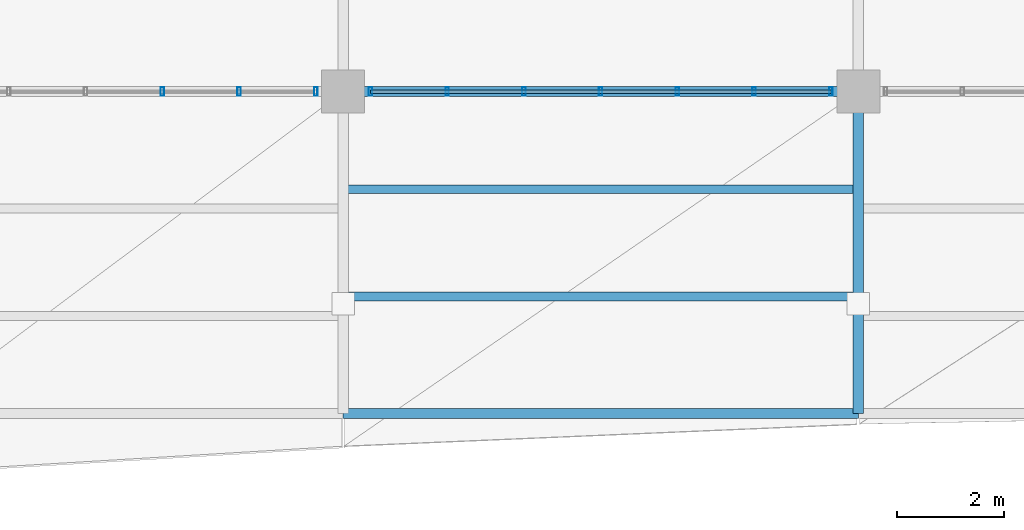
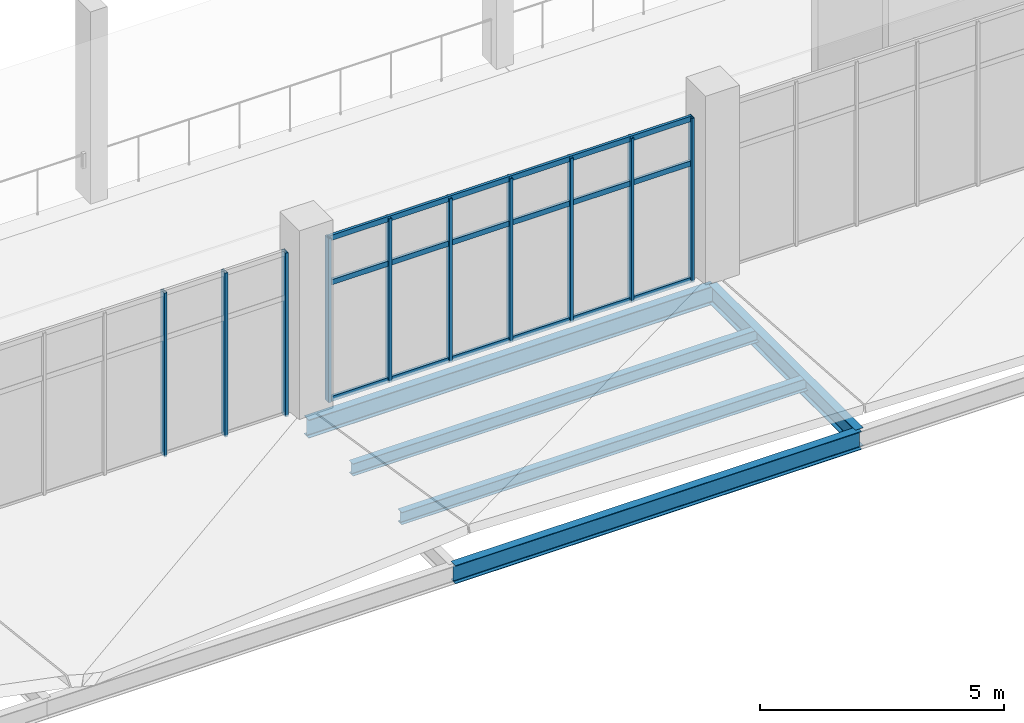
# One storey, part 52 of 157: 13 members, 5 beams, 2 elements without a shape of their own.
"""IFC4 building model written with IfcOpenShell, lengths in metres."""

from ifc_helpers import new_model, si_unit, direction, frame, origin, origin_2d, place, context, subcontext, project, spatial, hollow_rectangle, i_section, extrude, material, layer, layer_set, material_profile, profile_set, type_object, element, aggregate, save


model = new_model("IFC4")

# Units and contexts
model_context = context("Model", 3, precision=1e-05, world=origin(), true_north=direction((0.0, 1.0)))
body_context = subcontext(model_context, "Body", "Model", "MODEL_VIEW")
ifc_project = project(units=[si_unit("LENGTHUNIT", "METRE"), si_unit("AREAUNIT", "SQUARE_METRE"), si_unit("VOLUMEUNIT", "CUBIC_METRE"), si_unit("PLANEANGLEUNIT", "RADIAN"), si_unit("MASSUNIT", "GRAM", prefix="KILO")], contexts=[model_context])

# Site, building, storey
site_placement = place(None, origin())
site = spatial("IfcSite", under=ifc_project, at=site_placement, CompositionType="ELEMENT")
building_placement = place(site_placement, origin())
building = spatial("IfcBuilding", under=site, at=building_placement, Name="Chalmorin Arch Market", CompositionType="ELEMENT")
storey_placement = place(building_placement, frame((0.0, 0.0, 4.800048828125)))
storey = spatial("IfcBuildingStorey", under=building, at=storey_placement, Name="L01", CompositionType="ELEMENT", Elevation=4.800048828125)

# Curtain wall, members
ifc_material_1 = material(Name="Aluminium 6063-T6", Category="aluminium")
ifc_layer = layer(ifc_material_1, 0.159912109375)
ifc_layer_set = layer_set([ifc_layer], Name="Aluminium 6063-T6")
curtain_wall_type = type_object("IfcCurtainWallType", Name="MarketClerestoryCurtainWall-CW1-8580x4100", PredefinedType="NOTDEFINED", material=ifc_layer_set)
curtain_wall_1_placement = place(storey_placement, origin())
curtain_wall_1 = element("IfcCurtainWall", 1, at=curtain_wall_1_placement, inside=storey, type_object=curtain_wall_type, Name="CW-01-013", PredefinedType="NOTDEFINED")
ifc_material_profile_1 = material_profile(ifc_material_1, hollow_rectangle(XDim=0.06494140625, YDim=0.159912109375, WallThickness=0.00390625, at=origin_2d()), Name="ALU65X160X4")
ifc_profile_set_1 = profile_set([ifc_material_profile_1], Name="Aluminium 6063-T6")
member_type_1 = type_object("IfcMemberType", Name="CurtainWallMullion-65x160", PredefinedType="MULLION", material=ifc_profile_set_1)
member_1_placement = place(storey_placement, frame((92.6298828125, 6.0, 0.0), z_axis=(0.0, 0.0, 1.0), x_axis=(1.0, 0.0, 0.0)))
member_1 = element("IfcMember", 2, at=member_1_placement, type_object=member_type_1, Name="ML-013-05", PredefinedType="MULLION", context=body_context, shape_type="SweptSolid", body=[
    extrude(hollow_rectangle(XDim=0.06494140625, YDim=0.159912109375, WallThickness=0.00390625, at=origin_2d()), origin(), (0.0, 0.0, 1.0), 4.095947265625),
])
member_2_placement = place(storey_placement, frame((94.06005859375, 6.0, 0.0), z_axis=(0.0, 0.0, 1.0), x_axis=(1.0, 0.0, 0.0)))
member_2 = element("IfcMember", 3, at=member_2_placement, type_object=member_type_1, Name="ML-013-06", PredefinedType="MULLION", context=body_context, shape_type="SweptSolid", body=[
    extrude(hollow_rectangle(XDim=0.06494140625, YDim=0.159912109375, WallThickness=0.00390625, at=origin_2d()), origin(), (0.0, 0.0, 1.0), 4.095947265625),
])
member_3_placement = place(storey_placement, frame((95.489990234375, 6.0, 0.0), z_axis=(0.0, 0.0, 1.0), x_axis=(1.0, 0.0, 0.0)))
member_3 = element("IfcMember", 4, at=member_3_placement, type_object=member_type_1, Name="ML-013-07", PredefinedType="MULLION", context=body_context, shape_type="SweptSolid", body=[
    extrude(hollow_rectangle(XDim=0.06494140625, YDim=0.159912109375, WallThickness=0.00390625, at=origin_2d()), origin(), (0.0, 0.0, 1.0), 4.095947265625),
])
aggregate(curtain_wall_1, [member_1, member_2, member_3])

curtain_wall_2_placement = place(storey_placement, origin())
curtain_wall_2 = element("IfcCurtainWall", 5, at=curtain_wall_2_placement, inside=storey, type_object=curtain_wall_type, Name="CW-01-017", PredefinedType="NOTDEFINED")
member_4_placement = place(storey_placement, frame((96.510009765625, 6.0, 0.0), z_axis=(0.0, 0.0, 1.0), x_axis=(1.0, 0.0, 0.0)))
member_4 = element("IfcMember", 6, at=member_4_placement, type_object=member_type_1, Name="ML-017-01", PredefinedType="MULLION", context=body_context, shape_type="SweptSolid", body=[
    extrude(hollow_rectangle(XDim=0.06494140625, YDim=0.159912109375, WallThickness=0.00390625, at=origin_2d()), origin(), (0.0, 0.0, 1.0), 4.095947265625),
])
member_5_placement = place(storey_placement, frame((97.93994140625, 6.0, 0.0), z_axis=(0.0, 0.0, 1.0), x_axis=(1.0, 0.0, 0.0)))
member_5 = element("IfcMember", 7, at=member_5_placement, type_object=member_type_1, Name="ML-017-02", PredefinedType="MULLION", context=body_context, shape_type="SweptSolid", body=[
    extrude(hollow_rectangle(XDim=0.06494140625, YDim=0.159912109375, WallThickness=0.00390625, at=origin_2d()), origin(), (0.0, 0.0, 1.0), 4.095947265625),
])
member_6_placement = place(storey_placement, frame((99.3701171875, 6.0, 0.0), z_axis=(0.0, 0.0, 1.0), x_axis=(1.0, 0.0, 0.0)))
member_6 = element("IfcMember", 8, at=member_6_placement, type_object=member_type_1, Name="ML-017-03", PredefinedType="MULLION", context=body_context, shape_type="SweptSolid", body=[
    extrude(hollow_rectangle(XDim=0.06494140625, YDim=0.159912109375, WallThickness=0.00390625, at=origin_2d()), origin(), (0.0, 0.0, 1.0), 4.095947265625),
])
member_7_placement = place(storey_placement, frame((100.800048828125, 6.0, 0.0), z_axis=(0.0, 0.0, 1.0), x_axis=(1.0, 0.0, 0.0)))
member_7 = element("IfcMember", 9, at=member_7_placement, type_object=member_type_1, Name="ML-017-04", PredefinedType="MULLION", context=body_context, shape_type="SweptSolid", body=[
    extrude(hollow_rectangle(XDim=0.06494140625, YDim=0.159912109375, WallThickness=0.00390625, at=origin_2d()), origin(), (0.0, 0.0, 1.0), 4.095947265625),
])
member_8_placement = place(storey_placement, frame((102.22998046875, 6.0, 0.0), z_axis=(0.0, 0.0, 1.0), x_axis=(1.0, 0.0, 0.0)))
member_8 = element("IfcMember", 10, at=member_8_placement, type_object=member_type_1, Name="ML-017-05", PredefinedType="MULLION", context=body_context, shape_type="SweptSolid", body=[
    extrude(hollow_rectangle(XDim=0.06494140625, YDim=0.159912109375, WallThickness=0.00390625, at=origin_2d()), origin(), (0.0, 0.0, 1.0), 4.095947265625),
])
member_9_placement = place(storey_placement, frame((103.659912109375, 6.0, 0.0), z_axis=(0.0, 0.0, 1.0), x_axis=(1.0, 0.0, 0.0)))
member_9 = element("IfcMember", 11, at=member_9_placement, type_object=member_type_1, Name="ML-017-06", PredefinedType="MULLION", context=body_context, shape_type="SweptSolid", body=[
    extrude(hollow_rectangle(XDim=0.06494140625, YDim=0.159912109375, WallThickness=0.00390625, at=origin_2d()), origin(), (0.0, 0.0, 1.0), 4.095947265625),
])
member_10_placement = place(storey_placement, frame((105.090087890625, 6.0, 0.0), z_axis=(0.0, 0.0, 1.0), x_axis=(1.0, 0.0, 0.0)))
member_10 = element("IfcMember", 12, at=member_10_placement, type_object=member_type_1, Name="ML-017-07", PredefinedType="MULLION", context=body_context, shape_type="SweptSolid", body=[
    extrude(hollow_rectangle(XDim=0.06494140625, YDim=0.159912109375, WallThickness=0.00390625, at=origin_2d()), origin(), (0.0, 0.0, 1.0), 4.095947265625),
])
ifc_material_profile_2 = material_profile(ifc_material_1, hollow_rectangle(XDim=0.06494140625, YDim=0.1298828125, WallThickness=0.00390625, at=origin_2d()), Name="ALU65X130X4")
ifc_profile_set_2 = profile_set([ifc_material_profile_2], Name="Aluminium 6063-T6")
member_type_2 = type_object("IfcMemberType", Name="CurtainWallTransom-65x130", PredefinedType="USERDEFINED", material=ifc_profile_set_2)
member_11_placement = place(storey_placement, frame((96.510009765625, 6.0, 0.034912109375), z_axis=(1.0, 0.0, 0.0), x_axis=(0.0, 1.0, 0.0)))
member_11 = element("IfcMember", 13, at=member_11_placement, type_object=member_type_2, Name="TR-017-01", ObjectType="TRANSOM", PredefinedType="USERDEFINED", context=body_context, shape_type="SweptSolid", body=[
    extrude(hollow_rectangle(XDim=0.06494140625, YDim=0.1298828125, WallThickness=0.00390625, at=origin_2d()), origin(), (0.0, 0.0, 1.0), 8.580078125),
])
member_12_placement = place(storey_placement, frame((96.510009765625, 6.0, 2.948974609375), z_axis=(1.0, 0.0, 0.0), x_axis=(0.0, 1.0, 0.0)))
member_12 = element("IfcMember", 14, at=member_12_placement, type_object=member_type_2, Name="TR-017-02", ObjectType="TRANSOM", PredefinedType="USERDEFINED", context=body_context, shape_type="SweptSolid", body=[
    extrude(hollow_rectangle(XDim=0.06494140625, YDim=0.1298828125, WallThickness=0.00390625, at=origin_2d()), origin(), (0.0, 0.0, 1.0), 8.580078125),
])
member_13_placement = place(storey_placement, frame((96.510009765625, 6.0, 4.06103515625), z_axis=(1.0, 0.0, 0.0), x_axis=(0.0, 1.0, 0.0)))
member_13 = element("IfcMember", 15, at=member_13_placement, type_object=member_type_2, Name="TR-017-03", ObjectType="TRANSOM", PredefinedType="USERDEFINED", context=body_context, shape_type="SweptSolid", body=[
    extrude(hollow_rectangle(XDim=0.06494140625, YDim=0.1298828125, WallThickness=0.00390625, at=origin_2d()), origin(), (0.0, 0.0, 1.0), 8.580078125),
])
aggregate(curtain_wall_2, [member_4, member_5, member_6, member_7, member_8, member_9, member_10, member_11, member_12, member_13])

# Beams
ifc_material_2 = material(Name="Steel A992 Grade 50", Category="steel")
ifc_material_profile_3 = material_profile(ifc_material_2, i_section(OverallWidth=0.19091796875, OverallDepth=0.45703125, WebThickness=0.009033203125, FlangeThickness=0.014404296875, FilletRadius=0.02001953125, at=origin_2d()), Name="W18X50")
ifc_profile_set_3 = profile_set([ifc_material_profile_3], Name="Steel A992 Grade 50")
beam_type_1 = type_object("IfcBeamType", Name="FloorSteelBeam-W18X50", PredefinedType="BEAM", material=ifc_profile_set_3)
beam_placement = place(storey_placement, frame((105.60009765625, 0.0, -0.48046875), z_axis=(0.0, 1.0, 0.0), x_axis=(-1.0, 0.0, 0.0)))
element("IfcBeam", 16, at=beam_placement, inside=storey, type_object=beam_type_1, Name="BM-W18B-1047", PredefinedType="BEAM", context=body_context, shape_type="SweptSolid", body=[
    extrude(i_section(OverallWidth=0.19091796875, OverallDepth=0.45703125, WebThickness=0.009033203125, FlangeThickness=0.014404296875, FilletRadius=0.02001953125, at=origin_2d()), origin(), (0.0, 0.0, 1.0), 6.0),
])
ifc_material_profile_4 = material_profile(ifc_material_2, i_section(OverallWidth=0.19091796875, OverallDepth=0.45703125, WebThickness=0.009033203125, FlangeThickness=0.014404296875, FilletRadius=0.02001953125, at=origin_2d()), Name="W18X50")
ifc_profile_set_4 = profile_set([ifc_material_profile_4], Name="Steel A992 Grade 50")
beam_type_2 = type_object("IfcBeamType", Name="PerimeterSpandrelBeam-W18X50", PredefinedType="SPANDREL", material=ifc_profile_set_4)
for number, where, z_axis, x_axis, name in (
    (17, (96.0, 6.0, -0.48046875), (1.0, 0.0, 0.0), (0.0, 1.0, 0.0), "SP-W18-0616"),
    (18, (96.0, 0.0, -0.48046875), (1.0, 0.0, 0.0), (0.0, 1.0, 0.0), "SP-W18-1046"),
):
    element("IfcBeam", number, at=place(storey_placement, frame(where, z_axis=z_axis, x_axis=x_axis)), inside=storey, type_object=beam_type_2, Name=name, PredefinedType="SPANDREL", context=body_context, shape_type="SweptSolid", body=[
        extrude(i_section(OverallWidth=0.19091796875, OverallDepth=0.45703125, WebThickness=0.009033203125, FlangeThickness=0.014404296875, FilletRadius=0.02001953125, at=origin_2d()), origin(), (0.0, 0.0, 1.0), 9.60009765625),
    ])
ifc_material_profile_5 = material_profile(ifc_material_2, i_section(OverallWidth=0.1650390625, OverallDepth=0.31005859375, WebThickness=0.005859375, FlangeThickness=0.009765625, FilletRadius=0.014892578125, at=origin_2d()), Name="W12X26")
ifc_profile_set_5 = profile_set([ifc_material_profile_5], Name="Steel A992 Grade 50")
beam_type_3 = type_object("IfcBeamType", Name="SecondaryRoofJoist-W12X26", PredefinedType="JOIST", material=ifc_profile_set_5)
for number, where, z_axis, x_axis, name in (
    (19, (96.0, 2.179931640625, -0.406982421875), (1.0, 0.0, 0.0), (0.0, 1.0, 0.0), "BJ-W12-1072"),
    (20, (96.0, 4.179931640625, -0.406982421875), (1.0, 0.0, 0.0), (0.0, 1.0, 0.0), "BJ-W12-1073"),
):
    element("IfcBeam", number, at=place(storey_placement, frame(where, z_axis=z_axis, x_axis=x_axis)), inside=storey, type_object=beam_type_3, Name=name, PredefinedType="JOIST", context=body_context, shape_type="SweptSolid", body=[
        extrude(i_section(OverallWidth=0.1650390625, OverallDepth=0.31005859375, WebThickness=0.005859375, FlangeThickness=0.009765625, FilletRadius=0.014892578125, at=origin_2d()), origin(), (0.0, 0.0, 1.0), 9.60009765625),
    ])

save(model, "model.ifc")
